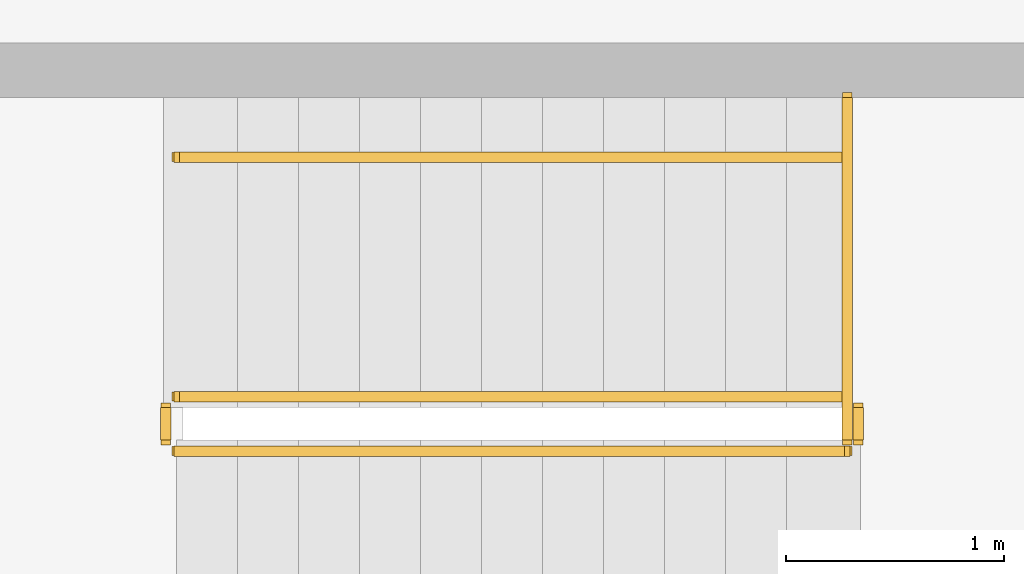
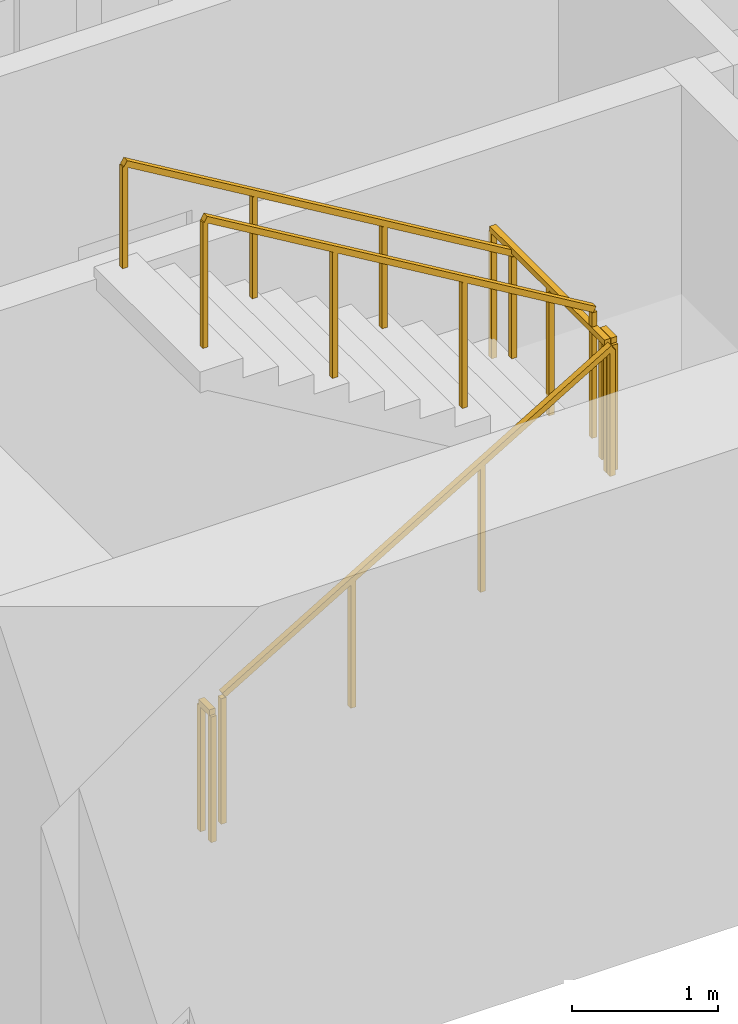
# One storey, part 13 of 16: 6 railings.
"""IFC4 building model written with IfcOpenShell, lengths in metres."""

from ifc_helpers import new_model, si_unit, direction, frame, origin, origin_2d, place, context, subcontext, project, spatial, rectangle, extrude, material, type_object, element, save


model = new_model("IFC4")

# Units and contexts
model_context = context("Model", 3, precision=1e-05, world=origin(), true_north=direction((0.0, 1.0)))
body_context = subcontext(model_context, "Body", "Model", "MODEL_VIEW")
ifc_project = project(units=[si_unit("LENGTHUNIT", "METRE"), si_unit("AREAUNIT", "SQUARE_METRE"), si_unit("VOLUMEUNIT", "CUBIC_METRE"), si_unit("PLANEANGLEUNIT", "RADIAN"), si_unit("MASSUNIT", "GRAM", prefix="KILO")], contexts=[model_context])

# Site, building, storey
site_placement = place(None, origin())
site = spatial("IfcSite", under=ifc_project, at=site_placement, CompositionType="ELEMENT")
building_placement = place(site_placement, origin())
building = spatial("IfcBuilding", under=site, at=building_placement, Name="Sennacour Bend Tower", CompositionType="ELEMENT")
storey_placement = place(building_placement, frame((0.0, 0.0, 239.0)))
storey = spatial("IfcBuildingStorey", under=building, at=storey_placement, Name="L55", CompositionType="ELEMENT", Elevation=239.0)

# Railings
ifc_material = material(Name="Stainless steel", Category="steel")
railing_type_1 = type_object("IfcRailingType", Name="RL-GUARD-1100", PredefinedType="GUARDRAIL", material=ifc_material)
railing_1_placement = place(storey_placement, frame((56.699951171875, 2.449951171875, 0.166748046875)))
element("IfcRailing", 1, at=railing_1_placement, inside=storey, type_object=railing_type_1, Name="L55 SA1 stair guard 1", PredefinedType="GUARDRAIL", context=body_context, shape_type="SweptSolid", body=[
    extrude(rectangle(XDim=0.048095703125, YDim=0.048095703125, at=origin_2d()), frame((0.0, 0.0, 1.076171875), z_axis=(0.859308565015, 0.0, 0.511457515432), x_axis=(0.0, 1.0, 0.0)), (0.0, 0.0, 1.0), 3.58447265625),
    extrude(rectangle(XDim=0.0419921875, YDim=0.0419921875, at=origin_2d()), origin(), (0.0, 0.0, 1.0), 1.052001953125),
    extrude(rectangle(XDim=0.0419921875, YDim=0.0419921875, at=origin_2d()), frame((1.026611328125, 0.0, 0.611083984375)), (0.0, 0.0, 1.0), 1.052001953125),
    extrude(rectangle(XDim=0.0419921875, YDim=0.0419921875, at=origin_2d()), frame((2.053466796875, 0.0, 1.22216796875)), (0.0, 0.0, 1.0), 1.052001953125),
    extrude(rectangle(XDim=0.0419921875, YDim=0.0419921875, at=origin_2d()), frame((3.080078125, 0.0, 1.833251953125)), (0.0, 0.0, 1.0), 1.052001953125),
])
railing_2_placement = place(storey_placement, frame((59.830078125, 2.5, 2.0)))
element("IfcRailing", 2, at=railing_2_placement, inside=storey, type_object=railing_type_1, Name="L55 SA1 stair guard 2", PredefinedType="GUARDRAIL", context=body_context, shape_type="SweptSolid", body=[
    extrude(rectangle(XDim=0.048095703125, YDim=0.048095703125, at=origin_2d()), frame((0.0, 0.0, 1.076171875), z_axis=(0.0, 1.0, 0.0), x_axis=(-1.0, 0.0, 0.0)), (0.0, 0.0, 1.0), 0.14990234375),
    extrude(rectangle(XDim=0.0419921875, YDim=0.0419921875, at=origin_2d()), origin(), (0.0, 0.0, 1.0), 1.052001953125),
    extrude(rectangle(XDim=0.0419921875, YDim=0.0419921875, at=origin_2d()), frame((0.0, 0.14990234375, 0.0)), (0.0, 0.0, 1.0), 1.052001953125),
])
railing_3_placement = place(storey_placement, frame((59.780029296875, 2.699951171875, 2.166748046875)))
element("IfcRailing", 3, at=railing_3_placement, inside=storey, type_object=railing_type_1, Name="L55 SA1 stair guard 4", PredefinedType="GUARDRAIL", context=body_context, shape_type="SweptSolid", body=[
    extrude(rectangle(XDim=0.048095703125, YDim=0.048095703125, at=origin_2d()), frame((0.0, 0.0, 1.076171875), z_axis=(-0.859308565015, 0.0, 0.511457515432), x_axis=(0.0, -1.0, 0.0)), (0.0, 0.0, 1.0), 3.58447265625),
    extrude(rectangle(XDim=0.0419921875, YDim=0.0419921875, at=origin_2d()), origin(), (0.0, 0.0, 1.0), 1.052001953125),
    extrude(rectangle(XDim=0.0419921875, YDim=0.0419921875, at=origin_2d()), frame((-1.026611328125, 0.0, 0.611083984375)), (0.0, 0.0, 1.0), 1.052001953125),
    extrude(rectangle(XDim=0.0419921875, YDim=0.0419921875, at=origin_2d()), frame((-2.053466796875, 0.0, 1.22216796875)), (0.0, 0.0, 1.0), 1.052001953125),
    extrude(rectangle(XDim=0.0419921875, YDim=0.0419921875, at=origin_2d()), frame((-3.080078125, 0.0, 1.833251953125)), (0.0, 0.0, 1.0), 1.052001953125),
])
railing_4_placement = place(storey_placement, frame((56.64990234375, 2.5, 0.0)))
element("IfcRailing", 4, at=railing_4_placement, inside=storey, type_object=railing_type_1, Name="L55 SA1 stair guard 5", PredefinedType="GUARDRAIL", context=body_context, shape_type="SweptSolid", body=[
    extrude(rectangle(XDim=0.048095703125, YDim=0.048095703125, at=origin_2d()), frame((0.0, 0.0, 1.076171875), z_axis=(0.0, 1.0, 0.0), x_axis=(-1.0, 0.0, 0.0)), (0.0, 0.0, 1.0), 0.14990234375),
    extrude(rectangle(XDim=0.0419921875, YDim=0.0419921875, at=origin_2d()), origin(), (0.0, 0.0, 1.0), 1.052001953125),
    extrude(rectangle(XDim=0.0419921875, YDim=0.0419921875, at=origin_2d()), frame((0.0, 0.14990234375, 0.0)), (0.0, 0.0, 1.0), 1.052001953125),
])
railing_5_placement = place(storey_placement, frame((59.780029296875, 2.5, 2.0)))
element("IfcRailing", 5, at=railing_5_placement, inside=storey, type_object=railing_type_1, Name="L55 SA1 landing edge guard 77", PredefinedType="GUARDRAIL", context=body_context, shape_type="SweptSolid", body=[
    extrude(rectangle(XDim=0.048095703125, YDim=0.048095703125, at=origin_2d()), frame((0.0, 0.0, 1.076171875), z_axis=(0.0, 1.0, 0.0), x_axis=(-1.0, 0.0, 0.0)), (0.0, 0.0, 1.0), 1.574951171875),
    extrude(rectangle(XDim=0.0419921875, YDim=0.0419921875, at=origin_2d()), origin(), (0.0, 0.0, 1.0), 1.052001953125),
    extrude(rectangle(XDim=0.0419921875, YDim=0.0419921875, at=origin_2d()), frame((0.0, 0.78759765625, 0.0)), (0.0, 0.0, 1.0), 1.052001953125),
    extrude(rectangle(XDim=0.0419921875, YDim=0.0419921875, at=origin_2d()), frame((0.0, 1.574951171875, 0.0)), (0.0, 0.0, 1.0), 1.052001953125),
])
railing_type_2 = type_object("IfcRailingType", Name="RL-HANDRAIL-900", PredefinedType="HANDRAIL", material=ifc_material)
railing_6_placement = place(storey_placement, frame((59.780029296875, 3.800048828125, 2.166748046875)))
element("IfcRailing", 6, at=railing_6_placement, inside=storey, type_object=railing_type_2, Name="L55 SA1 stair handrail 2", PredefinedType="HANDRAIL", context=body_context, shape_type="SweptSolid", body=[
    extrude(rectangle(XDim=0.048095703125, YDim=0.048095703125, at=origin_2d()), frame((0.0, 0.0, 0.8759765625), z_axis=(-0.859308565015, 0.0, 0.511457515432), x_axis=(0.0, -1.0, 0.0)), (0.0, 0.0, 1.0), 3.58447265625),
    extrude(rectangle(XDim=0.0419921875, YDim=0.0419921875, at=origin_2d()), origin(), (0.0, 0.0, 1.0), 0.851806640625),
    extrude(rectangle(XDim=0.0419921875, YDim=0.0419921875, at=origin_2d()), frame((-1.026611328125, 0.0, 0.611083984375)), (0.0, 0.0, 1.0), 0.851806640625),
    extrude(rectangle(XDim=0.0419921875, YDim=0.0419921875, at=origin_2d()), frame((-2.053466796875, 0.0, 1.22216796875)), (0.0, 0.0, 1.0), 0.851806640625),
    extrude(rectangle(XDim=0.0419921875, YDim=0.0419921875, at=origin_2d()), frame((-3.080078125, 0.0, 1.833251953125)), (0.0, 0.0, 1.0), 0.851806640625),
])

save(model, "model.ifc")
